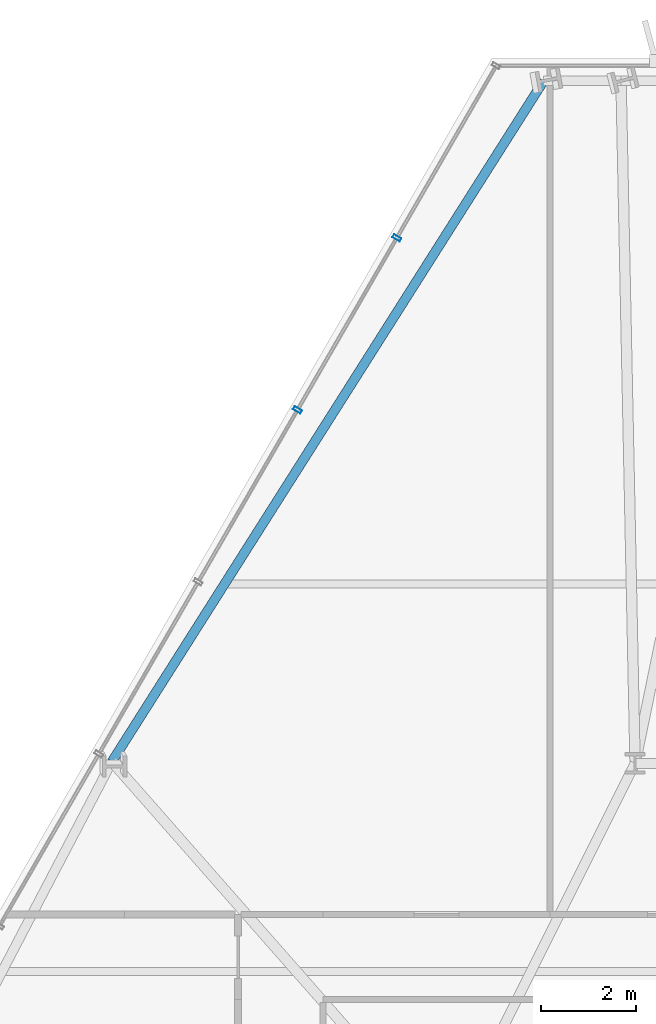
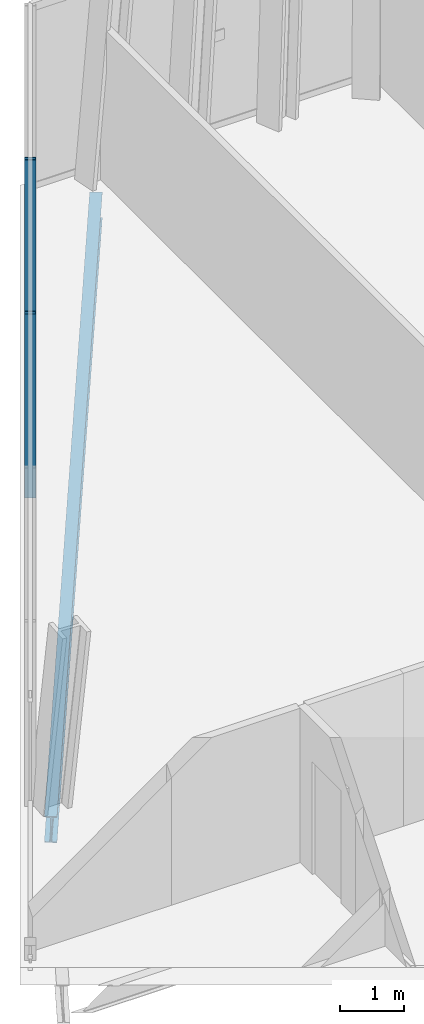
# One storey, part 20 of 31: 2 members, 1 beam, 1 element without a shape of its own.
"""IFC4 building model written with IfcOpenShell, lengths in metres."""

import ifcopenshell
import ifcopenshell.guid

model = None  # the IFC model being written
_history = None  # IfcOwnerHistory: only IFC2X3 demands one
_inside = {}  # id of a spatial element -> (the spatial element, [elements in it])
_under = {}  # id of a project, library or spatial element -> (it, [spatial elements below it])
_declared = {}  # id of a project -> (the project, [libraries it declares])
_typed = {}  # id of a type object -> (the type object, [elements of that type])
_made_of = {}  # id of a material, layer set ... -> (it, [elements and type objects made of it])


def new_model(schema):
    """Start an empty IFC model of exactly this schema.

    Asked for "IFC4X3", IfcOpenShell would pick the latest addendum, in which some entities
    have other attributes; the version numbers below select the first issue.
    IFC2X3 requires an IfcOwnerHistory on every rooted entity: one is made here for all.
    """
    global model, _history
    if schema == "IFC4X3":
        model = ifcopenshell.file(schema_version=(4, 3, 0, 0))
    else:
        model = ifcopenshell.file(schema=schema)
    _inside.clear()
    _under.clear()
    _declared.clear()
    _typed.clear()
    _made_of.clear()
    _history = None
    if model.schema == "IFC2X3":
        org = make("IfcOrganization", Name="unknown")
        user = make(
            "IfcPersonAndOrganization",
            ThePerson=make("IfcPerson", FamilyName="unknown"),
            TheOrganization=org,
        )
        app = make(
            "IfcApplication",
            ApplicationDeveloper=org,
            Version="unknown",
            ApplicationFullName="unknown",
            ApplicationIdentifier="unknown",
        )
        _history = make(
            "IfcOwnerHistory",
            OwningUser=user,
            OwningApplication=app,
            ChangeAction="ADDED",
            CreationDate=0,
        )
    return model


def make(cls, **values):
    """One entity of the class cls with the attributes given. An attribute that is None is left unset."""
    return model.create_entity(
        cls, **{name: value for name, value in values.items() if value is not None}
    )


def rooted(cls, **values):
    """An entity with a GlobalId (a new one), such as an element, a storey or a relation."""
    return make(cls, GlobalId=ifcopenshell.guid.new(), OwnerHistory=_history, **values)


def si_unit(unit_type, name, prefix=None):
    """IfcSIUnit, for example si_unit("LENGTHUNIT", "METRE", prefix="MILLI")."""
    return make("IfcSIUnit", UnitType=unit_type, Prefix=prefix, Name=name)


def assignment(units):
    """IfcUnitAssignment: the units of a project."""
    return None if units is None else make("IfcUnitAssignment", Units=units)


def point(xyz):
    """IfcCartesianPoint."""
    return None if xyz is None else make("IfcCartesianPoint", Coordinates=xyz)


def direction(xyz):
    """IfcDirection."""
    return None if xyz is None else make("IfcDirection", DirectionRatios=xyz)


def frame(location, z_axis=None, x_axis=None):
    """IfcAxis2Placement3D, a coordinate frame: its origin and axes. An axis left out is left unset."""
    return make(
        "IfcAxis2Placement3D",
        Location=point(location),
        Axis=direction(z_axis),
        RefDirection=direction(x_axis),
    )


def frame_2d(location, x_axis=None):
    """IfcAxis2Placement2D, a coordinate frame in the plane: its origin and x axis."""
    return make(
        "IfcAxis2Placement2D", Location=point(location), RefDirection=direction(x_axis)
    )


def origin():
    """The frame at (0, 0, 0) with its axes left unset."""
    return frame((0.0, 0.0, 0.0))


def origin_2d():
    """The frame at (0, 0) in the plane with its x axis left unset."""
    return frame_2d((0.0, 0.0))


def place(relative_to, where):
    """IfcLocalPlacement: puts the frame where relative to a parent placement (None: the world)."""
    return make(
        "IfcLocalPlacement", PlacementRelTo=relative_to, RelativePlacement=where
    )


def context(
    kind, dimensions, precision=None, world=None, true_north=None, identifier=None
):
    """IfcGeometricRepresentationContext, for example the 3D "Model" context."""
    return make(
        "IfcGeometricRepresentationContext",
        ContextIdentifier=identifier,
        ContextType=kind,
        CoordinateSpaceDimension=dimensions,
        Precision=precision,
        WorldCoordinateSystem=world,
        TrueNorth=true_north,
    )


def subcontext(parent, identifier, kind, view, scale=None):
    """IfcGeometricRepresentationSubContext, for example "Body" below "Model"."""
    return make(
        "IfcGeometricRepresentationSubContext",
        ContextIdentifier=identifier,
        ContextType=kind,
        ParentContext=parent,
        TargetScale=scale,
        TargetView=view,
    )


def project(units=None, contexts=None):
    """IfcProject with its units and contexts."""
    return rooted(
        "IfcProject",
        Name="project",
        RepresentationContexts=contexts,
        UnitsInContext=assignment(units),
    )


def spatial(cls, under=None, at=None, **own):
    """A site, building, storey or space (cls), placed at a placement, below another one or the project."""
    s = rooted(cls, ObjectPlacement=at, **own)
    if under is not None:
        _under.setdefault(under.id(), (under, []))[1].append(s)
    return s


def profile(cls, at=None, kind="AREA", **sizes):
    """A parametric profile (cls). Its sizes go by their IFC names, for example OverallWidth=200.0."""
    return make(cls, ProfileType=kind, Position=at, **sizes)


def hollow_rectangle(**sizes):
    """IfcRectangleHollowProfileDef."""
    return profile("IfcRectangleHollowProfileDef", **sizes)


def i_section(**sizes):
    """IfcIShapeProfileDef."""
    return profile("IfcIShapeProfileDef", **sizes)


def extrude(swept, where, along, depth):
    """IfcExtrudedAreaSolid: the profile swept, set in the frame where, extruded along a direction by depth."""
    return make(
        "IfcExtrudedAreaSolid",
        SweptArea=swept,
        Position=where,
        ExtrudedDirection=direction(along),
        Depth=depth,
    )


def shape(context_of_items, identifier, shape_type, items):
    """IfcShapeRepresentation: the items that make up one representation, for example the "Body"."""
    return make(
        "IfcShapeRepresentation",
        ContextOfItems=context_of_items,
        RepresentationIdentifier=identifier,
        RepresentationType=shape_type,
        Items=items,
    )


def material(Name=None, Category=None):
    """IfcMaterial."""
    return make("IfcMaterial", Name=Name, Category=Category)


def layer(
    of_material, thickness, ventilated=None, Name=None, Category=None, Priority=None
):
    """IfcMaterialLayer: one layer of a wall or slab, of a material (None: an air gap)."""
    return make(
        "IfcMaterialLayer",
        Material=of_material,
        LayerThickness=thickness,
        IsVentilated=ventilated,
        Name=Name,
        Category=Category,
        Priority=Priority,
    )


def layer_set(layers, Name=None):
    """IfcMaterialLayerSet."""
    return make("IfcMaterialLayerSet", MaterialLayers=layers, LayerSetName=Name)


def material_profile(
    of_material, cross_section, Name=None, Category=None, Priority=None
):
    """IfcMaterialProfile: a cross section and its material."""
    return make(
        "IfcMaterialProfile",
        Name=Name,
        Material=of_material,
        Profile=cross_section,
        Priority=Priority,
        Category=Category,
    )


def profile_set(profiles, Name=None, composite=None):
    """IfcMaterialProfileSet."""
    return make(
        "IfcMaterialProfileSet",
        Name=Name,
        MaterialProfiles=profiles,
        CompositeProfile=composite,
    )


def made_of(thing, what):
    """Note that an element or type object is made of a material, layer set ...; save() writes the relation."""
    if what is not None:
        _made_of.setdefault(what.id(), (what, []))[1].append(thing)
    return thing


def type_object(cls, material=None, **own):
    """A type object (cls), such as IfcWallType, which elements share."""
    return made_of(rooted(cls, **own), material)


def element(
    cls,
    number,
    at=None,
    inside=None,
    cuts=None,
    type_object=None,
    material=None,
    context=None,
    identifier="Body",
    shape_type=None,
    held_by="IfcProductDefinitionShape",
    body=None,
    shapes=None,
    **own,
):
    """One element of the class cls, such as IfcWall. Its Tag is "e" and its number.

    at: its placement. inside: the storey or other place that contains it. cuts: it is an
    opening in that element (IfcRelVoidsElement). A single representation is given by context,
    identifier, shape_type and body (its items); several are given by shapes. held_by: the class
    of the entity that holds the representations. save() writes the other relations.
    """
    e = rooted(cls, Tag="e%d" % number, ObjectPlacement=at, **own)
    if body is not None:
        shapes = [shape(context, identifier, shape_type, body)]
    if shapes is not None:
        e.Representation = make(held_by, Representations=shapes)
    if inside is not None:
        _inside.setdefault(inside.id(), (inside, []))[1].append(e)
    if cuts is not None:
        rooted(
            "IfcRelVoidsElement", RelatingBuildingElement=cuts, RelatedOpeningElement=e
        )
    if type_object is not None:
        _typed.setdefault(type_object.id(), (type_object, []))[1].append(e)
    return made_of(e, material)


def aggregate(whole, parts):
    """IfcRelAggregates: a whole, such as a stair, and the parts it consists of."""
    return rooted("IfcRelAggregates", RelatingObject=whole, RelatedObjects=parts)


def save(model, path):
    """Write the relations noted so far, then the file.

    IfcRelAggregates (storeys below a building ...), IfcRelContainedInSpatialStructure (elements
    in a storey), IfcRelDefinesByType, IfcRelAssociatesMaterial and IfcRelDeclares: one each for
    every whole, place, type object, material and project.
    """
    for whole, parts in _under.values():
        aggregate(whole, parts)
    for where, things in _inside.values():
        rooted(
            "IfcRelContainedInSpatialStructure",
            RelatedElements=things,
            RelatingStructure=where,
        )
    for kind, things in _typed.values():
        rooted("IfcRelDefinesByType", RelatedObjects=things, RelatingType=kind)
    for what, things in _made_of.values():
        rooted("IfcRelAssociatesMaterial", RelatedObjects=things, RelatingMaterial=what)
    for by, libraries in _declared.values():
        rooted("IfcRelDeclares", RelatingContext=by, RelatedDefinitions=libraries)
    model.write(path)


model = new_model("IFC4")

# Units and contexts
model_context = context("Model", 3, precision=1e-05, world=origin(), true_north=direction((0.0, 1.0)))
body_context = subcontext(model_context, "Body", "Model", "MODEL_VIEW")
ifc_project = project(units=[si_unit("LENGTHUNIT", "METRE"), si_unit("AREAUNIT", "SQUARE_METRE"), si_unit("VOLUMEUNIT", "CUBIC_METRE"), si_unit("PLANEANGLEUNIT", "RADIAN"), si_unit("MASSUNIT", "GRAM", prefix="KILO")], contexts=[model_context])

# Site, building, storey
site_placement = place(None, origin())
site = spatial("IfcSite", under=ifc_project, at=site_placement, CompositionType="ELEMENT")
building_placement = place(site_placement, origin())
building = spatial("IfcBuilding", under=site, at=building_placement, Name="Ndaravel Arena Tower", CompositionType="ELEMENT")
storey_placement = place(building_placement, frame((0.0, 0.0, 108.199951171875)))
storey = spatial("IfcBuildingStorey", under=building, at=storey_placement, Name="L25", CompositionType="ELEMENT", Elevation=108.199951171875)

# Beam
ifc_material_1 = material(Name="Steel S355", Category="steel")
ifc_material_profile_1 = material_profile(ifc_material_1, i_section(OverallWidth=0.199951171875, OverallDepth=0.5, WebThickness=0.01025390625, FlangeThickness=0.01611328125, FilletRadius=0.02099609375, at=origin_2d()), Name="IPE 500")
ifc_profile_set_1 = profile_set([ifc_material_profile_1], Name="Steel S355")
beam_type = type_object("IfcBeamType", Name="BM-SPAN-IPE500", PredefinedType="SPANDREL", material=ifc_profile_set_1)
beam_placement = place(storey_placement, frame((36.2646484375, 45.642578125, -0.469970703125), z_axis=(-0.535583851753, -0.844482052942, 0.0), x_axis=(0.844482052942, -0.535583851753, 0.0)))
element("IfcBeam", 1, at=beam_placement, inside=storey, type_object=beam_type, Name="L25 Perimeter Spandrel Beam SP-18", PredefinedType="SPANDREL", context=body_context, shape_type="SweptSolid", body=[
    extrude(i_section(OverallWidth=0.199951171875, OverallDepth=0.5, WebThickness=0.01025390625, FlangeThickness=0.01611328125, FilletRadius=0.02099609375, at=origin_2d()), origin(), (0.0, 0.0, 1.0), 17.0576171875),
])

# Curtain wall, members
ifc_material_2 = material(Name="Aluminium", Category="aluminium")
ifc_layer = layer(ifc_material_2, 0.179931640625)
ifc_layer_set = layer_set([ifc_layer], Name="Aluminium")
curtain_wall_type = type_object("IfcCurtainWallType", Name="CW-SYS-03", PredefinedType="NOTDEFINED", material=ifc_layer_set)
curtain_wall_placement = place(storey_placement, origin())
curtain_wall = element("IfcCurtainWall", 2, at=curtain_wall_placement, inside=storey, type_object=curtain_wall_type, Name="L25 Faceted Crystal Curtain Wall CW-L25-E05", PredefinedType="NOTDEFINED")
ifc_material_3 = material(Name="Aluminium", Category="aluminium")
ifc_material_profile_2 = material_profile(ifc_material_3, hollow_rectangle(XDim=0.074951171875, YDim=0.179931640625, WallThickness=0.00390625, at=origin_2d()), Name="CW MULLION 75x180x4")
ifc_profile_set_2 = profile_set([ifc_material_profile_2], Name="Aluminium")
member_type = type_object("IfcMemberType", Name="MEM-CW-MUL180", PredefinedType="MULLION", material=ifc_profile_set_2)
member_1_placement = place(storey_placement, frame((33.158447265625, 42.3212890625, 0.0), z_axis=(0.0, 0.0, 1.0), x_axis=(-0.5, -0.866025403784, 0.0)))
member_1 = element("IfcMember", 3, at=member_1_placement, type_object=member_type, Name="CW-L25-E05 Mullion 01", PredefinedType="MULLION", context=body_context, shape_type="SweptSolid", body=[
    extrude(hollow_rectangle(XDim=0.074951171875, YDim=0.179931640625, WallThickness=0.00390625, at=origin_2d()), origin(), (0.0, 0.0, 1.0), 3.52001953125),
])
member_2_placement = place(storey_placement, frame((31.05615234375, 38.68017578125, 0.0), z_axis=(0.0, 0.0, 1.0), x_axis=(-0.5, -0.866025403784, 0.0)))
member_2 = element("IfcMember", 4, at=member_2_placement, type_object=member_type, Name="CW-L25-E05 Mullion 02", PredefinedType="MULLION", context=body_context, shape_type="SweptSolid", body=[
    extrude(hollow_rectangle(XDim=0.074951171875, YDim=0.179931640625, WallThickness=0.00390625, at=origin_2d()), origin(), (0.0, 0.0, 1.0), 3.52001953125),
])
aggregate(curtain_wall, [member_1, member_2])

save(model, "model.ifc")
